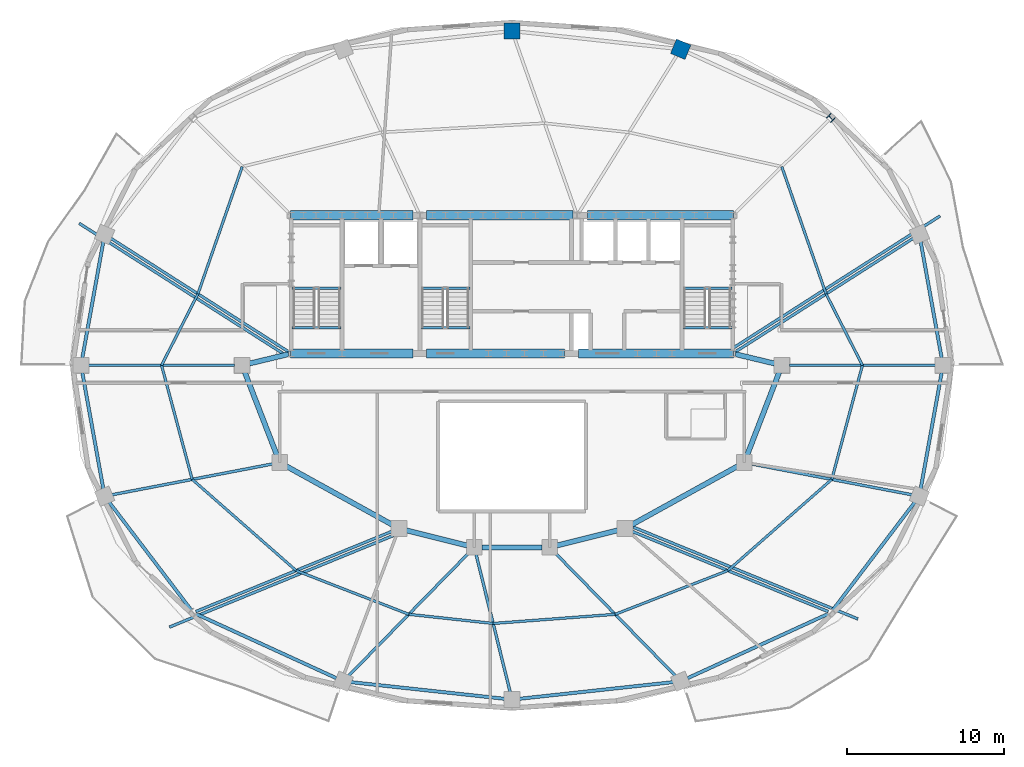
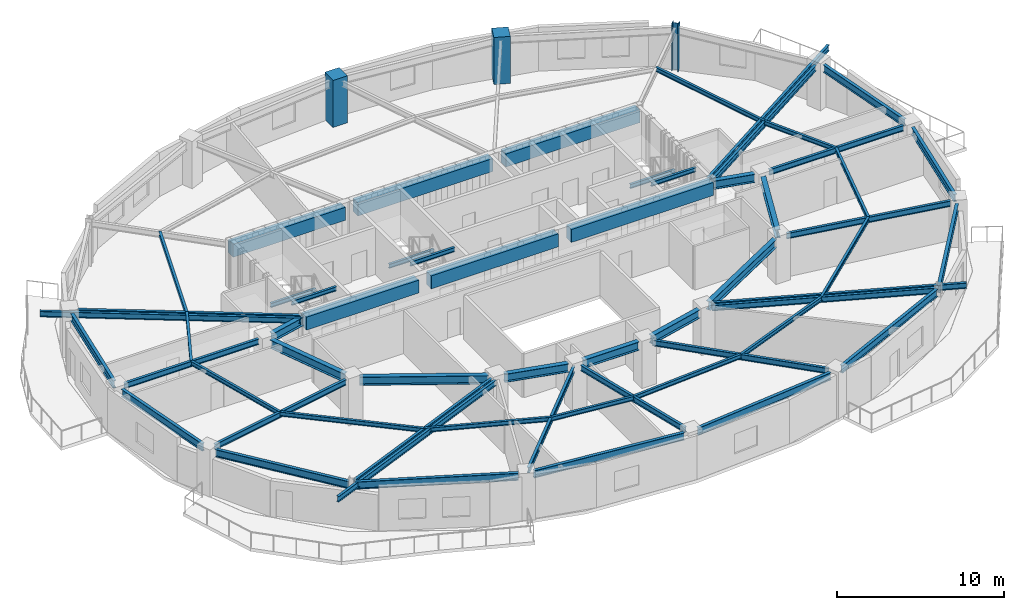
# One storey, part 2 of 11: 58 beams, 3 columns.
"""IFC4 building model written with IfcOpenShell, lengths in metres."""

from ifc_helpers import new_model, si_unit, direction, frame, origin, origin_2d, place, context, subcontext, project, spatial, rectangle, i_section, extrude, material, material_profile, profile_set, type_object, element, save


model = new_model("IFC4")

# Units and contexts
model_context = context("Model", 3, precision=1e-05, world=origin(), true_north=direction((0.0, 1.0)))
body_context = subcontext(model_context, "Body", "Model", "MODEL_VIEW")
ifc_project = project(units=[si_unit("LENGTHUNIT", "METRE"), si_unit("AREAUNIT", "SQUARE_METRE"), si_unit("VOLUMEUNIT", "CUBIC_METRE"), si_unit("PLANEANGLEUNIT", "RADIAN"), si_unit("MASSUNIT", "GRAM", prefix="KILO")], contexts=[model_context])

# Site, building, storey
site_placement = place(None, origin())
site = spatial("IfcSite", under=ifc_project, at=site_placement, CompositionType="ELEMENT")
building_placement = place(site_placement, origin())
building = spatial("IfcBuilding", under=site, at=building_placement, Name="Haldorwick Loom Tower", CompositionType="ELEMENT")
storey_placement = place(building_placement, frame((0.0, 0.0, 230.550048828125)))
storey = spatial("IfcBuildingStorey", under=building, at=storey_placement, Name="L62", CompositionType="ELEMENT", Elevation=230.550048828125)

# Columns
ifc_material_1 = material(Name="Concrete C60 (60 MPa)", Category="concrete")
ifc_material_profile_1 = material_profile(ifc_material_1, rectangle(XDim=1.0, YDim=1.0, at=origin_2d()), Name="RC1000X1000", Category="concrete")
ifc_profile_set_1 = profile_set([ifc_material_profile_1], Name="Concrete C60 (60 MPa)")
column_type_1 = type_object("IfcColumnType", Name="STR-COL-RC1000", PredefinedType="COLUMN", material=ifc_profile_set_1)
for number, where, z_axis, x_axis, name in (
    (1, (46.75341796875, 46.140625, 0.0), (0.0, 0.0, 1.0), (0.382683432365, 0.923879532511, 0.0), "L62 Perimeter Pier Column P04"),
    (2, (36.0, 47.304931640625, 0.0), (0.0, 0.0, 1.0), (0.0, 1.0, 0.0), "L62 Perimeter Pier Column P05"),
):
    element("IfcColumn", number, at=place(storey_placement, frame(where, z_axis=z_axis, x_axis=x_axis)), inside=storey, type_object=column_type_1, Name=name, PredefinedType="COLUMN", context=body_context, shape_type="SweptSolid", body=[
        extrude(rectangle(XDim=1.0, YDim=1.0, at=origin_2d()), origin(), (0.0, 0.0, 1.0), 3.449951171875),
    ])
ifc_material_2 = material(Name="Steel CSA G40.21 350W", Category="steel")
ifc_material_profile_2 = material_profile(ifc_material_2, i_section(OverallWidth=0.406005859375, OverallDepth=0.416015625, WebThickness=0.024169921875, FlangeThickness=0.03857421875, at=origin_2d()), Name="W360X382", Category="steel")
ifc_profile_set_2 = profile_set([ifc_material_profile_2], Name="Steel CSA G40.21 350W")
column_type_2 = type_object("IfcColumnType", Name="STR-COL-W360X382", PredefinedType="COLUMN", material=ifc_profile_set_2)
column_placement = place(storey_placement, frame((56.317626953125, 41.764892578125, 0.0), z_axis=(0.0, 0.0, 1.0), x_axis=(0.707106781187, 0.707106781187, 0.0)))
element("IfcColumn", 3, at=column_placement, inside=storey, type_object=column_type_2, Name="L62 Perimeter Pier Column P03", PredefinedType="COLUMN", context=body_context, shape_type="SweptSolid", body=[
    extrude(i_section(OverallWidth=0.406005859375, OverallDepth=0.416015625, WebThickness=0.024169921875, FlangeThickness=0.03857421875, at=origin_2d()), origin(), (0.0, 0.0, 1.0), 3.449951171875),
])

# Beams
ifc_material_profile_3 = material_profile(ifc_material_2, i_section(OverallWidth=0.179931640625, OverallDepth=0.4130859375, WebThickness=0.009765625, FlangeThickness=0.01611328125, at=origin_2d()), Name="W410X74", Category="steel")
ifc_profile_set_3 = profile_set([ifc_material_profile_3], Name="Steel CSA G40.21 350W")
beam_type_1 = type_object("IfcBeamType", Name="STR-BM-BAL410", PredefinedType="BEAM", material=ifc_profile_set_3)
beam_1_placement = place(storey_placement, frame((43.74560546875, 15.679443359375, 3.00341796875), z_axis=(0.925580184245, -0.378551611451, 0.0), x_axis=(0.378551611451, 0.925580184245, 0.0)))
element("IfcBeam", 4, at=beam_1_placement, inside=storey, type_object=beam_type_1, Name="L62 Continuous Back-Spanned Balcony Beam 1", PredefinedType="BEAM", context=body_context, shape_type="SweptSolid", body=[
    extrude(i_section(OverallWidth=0.179931640625, OverallDepth=0.4130859375, WebThickness=0.009765625, FlangeThickness=0.01611328125, at=origin_2d()), origin(), (0.0, 0.0, 1.0), 15.447509765625),
])
beam_2_placement = place(storey_placement, frame((28.46630859375, 15.160888671875, 3.00341796875), z_axis=(-0.925585721791, -0.378538071556, 0.0), x_axis=(0.378538071556, -0.925585721791, 0.0)))
element("IfcBeam", 5, at=beam_2_placement, inside=storey, type_object=beam_type_1, Name="L62 Continuous Back-Spanned Balcony Beam 2", PredefinedType="BEAM", context=body_context, shape_type="SweptSolid", body=[
    extrude(i_section(OverallWidth=0.179931640625, OverallDepth=0.4130859375, WebThickness=0.009765625, FlangeThickness=0.01611328125, at=origin_2d()), origin(), (0.0, 0.0, 1.0), 15.447265625),
])
for number, where, z_axis, x_axis, name in (
    (6, (21.62939453125, 26.60986328125, 3.00341796875), (-0.842844376394, 0.538157372133, 0.0), (-0.538157372133, -0.842844376394, 0.0), "L62 Continuous Back-Spanned Balcony Beam 3"),
    (7, (50.0693359375, 27.081787109375, 3.00341796875), (0.842844376394, 0.538157372133, 0.0), (-0.538157372133, 0.842844376394, 0.0), "L62 Continuous Back-Spanned Balcony Beam 4"),
):
    element("IfcBeam", number, at=place(storey_placement, frame(where, z_axis=z_axis, x_axis=x_axis)), inside=storey, type_object=beam_type_1, Name=name, PredefinedType="BEAM", context=body_context, shape_type="SweptSolid", body=[
        extrude(i_section(OverallWidth=0.179931640625, OverallDepth=0.4130859375, WebThickness=0.009765625, FlangeThickness=0.01611328125, at=origin_2d()), origin(), (0.0, 0.0, 1.0), 15.680419921875),
    ])
ifc_material_3 = material(Name="Concrete C50 (50 MPa)", Category="concrete")
ifc_material_profile_4 = material_profile(ifc_material_3, rectangle(XDim=0.60009765625, YDim=0.949951171875, at=origin_2d()), Name="RC600X950", Category="concrete")
ifc_profile_set_4 = profile_set([ifc_material_profile_4], Name="Concrete C50 (50 MPa)")
beam_type_2 = type_object("IfcBeamType", Name="STR-BM-CB950", PredefinedType="LINTEL", material=ifc_profile_set_4)
beam_3_placement = place(storey_placement, frame((21.89990234375, 35.550048828125, 2.73486328125), z_axis=(1.0, 0.0, 0.0), x_axis=(0.0, 1.0, 0.0)))
element("IfcBeam", 8, at=beam_3_placement, inside=storey, type_object=beam_type_2, Name="L62 Core Coupling Beam CB-N1", PredefinedType="LINTEL", context=body_context, shape_type="SweptSolid", body=[
    extrude(rectangle(XDim=0.60009765625, YDim=0.949951171875, at=origin_2d()), origin(), (0.0, 0.0, 1.0), 7.800048828125),
])
beam_4_placement = place(storey_placement, frame((30.550048828125, 35.550048828125, 2.73486328125), z_axis=(1.0, 0.0, 0.0), x_axis=(0.0, 1.0, 0.0)))
element("IfcBeam", 9, at=beam_4_placement, inside=storey, type_object=beam_type_2, Name="L62 Core Coupling Beam CB-N2", PredefinedType="LINTEL", context=body_context, shape_type="SweptSolid", body=[
    extrude(rectangle(XDim=0.60009765625, YDim=0.949951171875, at=origin_2d()), origin(), (0.0, 0.0, 1.0), 9.349853515625),
])
beam_5_placement = place(storey_placement, frame((40.800048828125, 35.550048828125, 2.73486328125), z_axis=(1.0, 0.0, 0.0), x_axis=(0.0, 1.0, 0.0)))
element("IfcBeam", 10, at=beam_5_placement, inside=storey, type_object=beam_type_2, Name="L62 Core Coupling Beam CB-N3", PredefinedType="LINTEL", context=body_context, shape_type="SweptSolid", body=[
    extrude(rectangle(XDim=0.60009765625, YDim=0.949951171875, at=origin_2d()), origin(), (0.0, 0.0, 1.0), 9.300048828125),
])
beam_6_placement = place(storey_placement, frame((21.89990234375, 26.75, 2.73486328125), z_axis=(1.0, 0.0, 0.0), x_axis=(0.0, 1.0, 0.0)))
element("IfcBeam", 11, at=beam_6_placement, inside=storey, type_object=beam_type_2, Name="L62 Core Coupling Beam CB-S1", PredefinedType="LINTEL", context=body_context, shape_type="SweptSolid", body=[
    extrude(rectangle(XDim=0.60009765625, YDim=0.949951171875, at=origin_2d()), origin(), (0.0, 0.0, 1.0), 7.800048828125),
])
beam_7_placement = place(storey_placement, frame((30.550048828125, 26.75, 2.73486328125), z_axis=(1.0, 0.0, 0.0), x_axis=(0.0, 1.0, 0.0)))
element("IfcBeam", 12, at=beam_7_placement, inside=storey, type_object=beam_type_2, Name="L62 Core Coupling Beam CB-S2", PredefinedType="LINTEL", context=body_context, shape_type="SweptSolid", body=[
    extrude(rectangle(XDim=0.60009765625, YDim=0.949951171875, at=origin_2d()), origin(), (0.0, 0.0, 1.0), 8.800048828125),
])
beam_8_placement = place(storey_placement, frame((40.25, 26.75, 2.73486328125), z_axis=(1.0, 0.0, 0.0), x_axis=(0.0, 1.0, 0.0)))
element("IfcBeam", 13, at=beam_8_placement, inside=storey, type_object=beam_type_2, Name="L62 Core Coupling Beam CB-S3", PredefinedType="LINTEL", context=body_context, shape_type="SweptSolid", body=[
    extrude(rectangle(XDim=0.60009765625, YDim=0.949951171875, at=origin_2d()), origin(), (0.0, 0.0, 1.0), 9.85009765625),
])
ifc_material_profile_5 = material_profile(ifc_material_2, i_section(OverallWidth=0.166015625, OverallDepth=0.31298828125, WebThickness=0.006591796875, FlangeThickness=0.01123046875, at=origin_2d()), Name="W310X45", Category="steel")
ifc_profile_set_5 = profile_set([ifc_material_profile_5], Name="Steel CSA G40.21 350W")
beam_type_3 = type_object("IfcBeamType", Name="STR-BM-J310", PredefinedType="JOIST", material=ifc_profile_set_5)
beam_9_placement = place(storey_placement, frame((58.333251953125, 26.0, 3.053466796875), z_axis=(-0.454203827517, 0.890897796085, 0.0), x_axis=(-0.890897796085, -0.454203827517, 0.0)))
element("IfcBeam", 14, at=beam_9_placement, inside=storey, type_object=beam_type_3, Name="L62 Mid-Bay Secondary Joist 1", PredefinedType="JOIST", context=body_context, shape_type="SweptSolid", body=[
    extrude(i_section(OverallWidth=0.166015625, OverallDepth=0.31298828125, WebThickness=0.006591796875, FlangeThickness=0.01123046875, at=origin_2d()), origin(), (0.0, 0.0, 1.0), 5.103271484375),
])
for number, where, z_axis, x_axis, name in (
    (15, (56.015380859375, 30.54638671875, 3.053466796875), (-0.328550395803, 0.944486441098, 0.0), (-0.944486441098, -0.328550395803, 0.0), "L62 Mid-Bay Secondary Joist 2"),
    (16, (18.80615234375, 38.657470703125, 3.053466796875), (-0.328550395803, -0.944486441098, 0.0), (0.944486441098, -0.328550395803, 0.0), "L62 Mid-Bay Secondary Joist 7"),
):
    element("IfcBeam", number, at=place(storey_placement, frame(where, z_axis=z_axis, x_axis=x_axis)), inside=storey, type_object=beam_type_3, Name=name, PredefinedType="JOIST", context=body_context, shape_type="SweptSolid", body=[
        extrude(i_section(OverallWidth=0.166015625, OverallDepth=0.31298828125, WebThickness=0.006591796875, FlangeThickness=0.01123046875, at=origin_2d()), origin(), (0.0, 0.0, 1.0), 8.587890625),
    ])
beam_10_placement = place(storey_placement, frame((15.984619140625, 30.54638671875, 3.053466796875), z_axis=(-0.454203827517, -0.890897796085, 0.0), x_axis=(0.890897796085, -0.454203827517, 0.0)))
element("IfcBeam", 17, at=beam_10_placement, inside=storey, type_object=beam_type_3, Name="L62 Mid-Bay Secondary Joist 8", PredefinedType="JOIST", context=body_context, shape_type="SweptSolid", body=[
    extrude(i_section(OverallWidth=0.166015625, OverallDepth=0.31298828125, WebThickness=0.006591796875, FlangeThickness=0.01123046875, at=origin_2d()), origin(), (0.0, 0.0, 1.0), 5.103271484375),
])
beam_11_placement = place(storey_placement, frame((13.666748046875, 26.0, 3.053466796875), z_axis=(0.259353588718, -0.965782437208, 0.0), x_axis=(0.965782437208, 0.259353588718, 0.0)))
element("IfcBeam", 18, at=beam_11_placement, inside=storey, type_object=beam_type_3, Name="L62 Mid-Bay Secondary Joist 9", PredefinedType="JOIST", context=body_context, shape_type="SweptSolid", body=[
    extrude(i_section(OverallWidth=0.166015625, OverallDepth=0.31298828125, WebThickness=0.006591796875, FlangeThickness=0.01123046875, at=origin_2d()), origin(), (0.0, 0.0, 1.0), 7.52880859375),
])
beam_12_placement = place(storey_placement, frame((15.619384765625, 18.728759765625, 3.053466796875), z_axis=(0.751609427289, -0.659608420815, 0.0), x_axis=(0.659608420815, 0.751609427289, 0.0)))
element("IfcBeam", 19, at=beam_12_placement, inside=storey, type_object=beam_type_3, Name="L62 Mid-Bay Secondary Joist 10", PredefinedType="JOIST", context=body_context, shape_type="SweptSolid", body=[
    extrude(i_section(OverallWidth=0.166015625, OverallDepth=0.31298828125, WebThickness=0.006591796875, FlangeThickness=0.01123046875, at=origin_2d()), origin(), (0.0, 0.0, 1.0), 8.810302734375),
])
beam_13_placement = place(storey_placement, frame((22.2412109375, 12.91748046875, 3.053466796875), z_axis=(0.932232852675, -0.36185896202, 0.0), x_axis=(0.36185896202, 0.932232852675, 0.0)))
element("IfcBeam", 20, at=beam_13_placement, inside=storey, type_object=beam_type_3, Name="L62 Mid-Bay Secondary Joist 11", PredefinedType="JOIST", context=body_context, shape_type="SweptSolid", body=[
    extrude(i_section(OverallWidth=0.166015625, OverallDepth=0.31298828125, WebThickness=0.006591796875, FlangeThickness=0.01123046875, at=origin_2d()), origin(), (0.0, 0.0, 1.0), 7.7041015625),
])
beam_14_placement = place(storey_placement, frame((29.42333984375, 10.129638671875, 3.053466796875), z_axis=(0.994191913888, -0.107621737398, 0.0), x_axis=(0.107621737398, 0.994191913888, 0.0)))
element("IfcBeam", 21, at=beam_14_placement, inside=storey, type_object=beam_type_3, Name="L62 Mid-Bay Secondary Joist 12", PredefinedType="JOIST", context=body_context, shape_type="SweptSolid", body=[
    extrude(i_section(OverallWidth=0.166015625, OverallDepth=0.31298828125, WebThickness=0.006591796875, FlangeThickness=0.01123046875, at=origin_2d()), origin(), (0.0, 0.0, 1.0), 5.408203125),
])
beam_15_placement = place(storey_placement, frame((34.800048828125, 9.547607421875, 3.053466796875), z_axis=(0.997210913817, 0.074635067923, 0.0), x_axis=(-0.074635067923, 0.997210913817, 0.0)))
element("IfcBeam", 22, at=beam_15_placement, inside=storey, type_object=beam_type_3, Name="L62 Mid-Bay Secondary Joist 13", PredefinedType="JOIST", context=body_context, shape_type="SweptSolid", body=[
    extrude(i_section(OverallWidth=0.166015625, OverallDepth=0.31298828125, WebThickness=0.006591796875, FlangeThickness=0.01123046875, at=origin_2d()), origin(), (0.0, 0.0, 1.0), 7.79833984375),
])
beam_16_placement = place(storey_placement, frame((42.57666015625, 10.129638671875, 3.053466796875), z_axis=(0.932232852675, 0.36185896202, 0.0), x_axis=(-0.36185896202, 0.932232852675, 0.0)))
element("IfcBeam", 23, at=beam_16_placement, inside=storey, type_object=beam_type_3, Name="L62 Mid-Bay Secondary Joist 14", PredefinedType="JOIST", context=body_context, shape_type="SweptSolid", body=[
    extrude(i_section(OverallWidth=0.166015625, OverallDepth=0.31298828125, WebThickness=0.006591796875, FlangeThickness=0.01123046875, at=origin_2d()), origin(), (0.0, 0.0, 1.0), 7.7041015625),
])
beam_17_placement = place(storey_placement, frame((49.7587890625, 12.91748046875, 3.053466796875), z_axis=(0.751609427289, 0.659608420815, 0.0), x_axis=(-0.659608420815, 0.751609427289, 0.0)))
element("IfcBeam", 24, at=beam_17_placement, inside=storey, type_object=beam_type_3, Name="L62 Mid-Bay Secondary Joist 15", PredefinedType="JOIST", context=body_context, shape_type="SweptSolid", body=[
    extrude(i_section(OverallWidth=0.166015625, OverallDepth=0.31298828125, WebThickness=0.006591796875, FlangeThickness=0.01123046875, at=origin_2d()), origin(), (0.0, 0.0, 1.0), 8.810302734375),
])
beam_18_placement = place(storey_placement, frame((56.380615234375, 18.728759765625, 3.053466796875), z_axis=(0.259353588718, 0.965782437208, 0.0), x_axis=(-0.965782437208, 0.259353588718, 0.0)))
element("IfcBeam", 25, at=beam_18_placement, inside=storey, type_object=beam_type_3, Name="L62 Mid-Bay Secondary Joist 16", PredefinedType="JOIST", context=body_context, shape_type="SweptSolid", body=[
    extrude(i_section(OverallWidth=0.166015625, OverallDepth=0.31298828125, WebThickness=0.006591796875, FlangeThickness=0.01123046875, at=origin_2d()), origin(), (0.0, 0.0, 1.0), 7.52880859375),
])
ifc_material_profile_6 = material_profile(ifc_material_2, i_section(OverallWidth=0.179931640625, OverallDepth=0.4130859375, WebThickness=0.009765625, FlangeThickness=0.01611328125, at=origin_2d()), Name="W410X74", Category="steel")
ifc_profile_set_6 = profile_set([ifc_material_profile_6], Name="Steel CSA G40.21 350W")
beam_type_4 = type_object("IfcBeamType", Name="STR-BM-J410", PredefinedType="JOIST", material=ifc_profile_set_6)
beam_19_placement = place(storey_placement, frame((53.675048828125, 26.0, 3.00341796875), z_axis=(1.0, 0.0, 0.0), x_axis=(0.0, 1.0, 0.0)))
element("IfcBeam", 26, at=beam_19_placement, inside=storey, type_object=beam_type_4, Name="L62 Radial Floor Girder 1", PredefinedType="JOIST", context=body_context, shape_type="SweptSolid", body=[
    extrude(i_section(OverallWidth=0.179931640625, OverallDepth=0.4130859375, WebThickness=0.009765625, FlangeThickness=0.01611328125, at=origin_2d()), origin(), (0.0, 0.0, 1.0), 9.31640625),
])
for number, where, z_axis, x_axis, name in (
    (27, (50.219970703125, 26.845703125, 3.00341796875), (0.842841662301, 0.538161622833, 0.0), (-0.538161622833, 0.842841662301, 0.0), "L62 Radial Floor Girder 2"),
    (28, (21.780029296875, 26.845703125, 3.00341796875), (-0.842841662301, 0.538161622833, 0.0), (-0.538161622833, -0.842841662301, 0.0), "L62 Radial Floor Girder 8"),
):
    element("IfcBeam", number, at=place(storey_placement, frame(where, z_axis=z_axis, x_axis=x_axis)), inside=storey, type_object=beam_type_4, Name=name, PredefinedType="JOIST", context=body_context, shape_type="SweptSolid", body=[
        extrude(i_section(OverallWidth=0.179931640625, OverallDepth=0.4130859375, WebThickness=0.009765625, FlangeThickness=0.01611328125, at=origin_2d()), origin(), (0.0, 0.0, 1.0), 13.45556640625),
    ])
beam_20_placement = place(storey_placement, frame((18.324951171875, 26.0, 3.00341796875), z_axis=(-1.0, 0.0, 0.0), x_axis=(0.0, -1.0, 0.0)))
element("IfcBeam", 29, at=beam_20_placement, inside=storey, type_object=beam_type_4, Name="L62 Radial Floor Girder 9", PredefinedType="JOIST", context=body_context, shape_type="SweptSolid", body=[
    extrude(i_section(OverallWidth=0.179931640625, OverallDepth=0.4130859375, WebThickness=0.009765625, FlangeThickness=0.01611328125, at=origin_2d()), origin(), (0.0, 0.0, 1.0), 9.31640625),
])
beam_21_placement = place(storey_placement, frame((20.7333984375, 19.71044921875, 3.00341796875), z_axis=(-0.982068761346, -0.188523070173, 0.0), x_axis=(0.188523070173, -0.982068761346, 0.0)))
element("IfcBeam", 30, at=beam_21_placement, inside=storey, type_object=beam_type_4, Name="L62 Radial Floor Girder 10", PredefinedType="JOIST", context=body_context, shape_type="SweptSolid", body=[
    extrude(i_section(OverallWidth=0.179931640625, OverallDepth=0.4130859375, WebThickness=0.009765625, FlangeThickness=0.01611328125, at=origin_2d()), origin(), (0.0, 0.0, 1.0), 10.41455078125),
])
beam_22_placement = place(storey_placement, frame((28.3603515625, 15.420166015625, 3.00341796875), z_axis=(-0.925582046891, -0.378547057145, 0.0), x_axis=(0.378547057145, -0.925582046891, 0.0)))
element("IfcBeam", 31, at=beam_22_placement, inside=storey, type_object=beam_type_4, Name="L62 Radial Floor Girder 11", PredefinedType="JOIST", context=body_context, shape_type="SweptSolid", body=[
    extrude(i_section(OverallWidth=0.179931640625, OverallDepth=0.4130859375, WebThickness=0.009765625, FlangeThickness=0.01611328125, at=origin_2d()), origin(), (0.0, 0.0, 1.0), 13.519287109375),
])
beam_23_placement = place(storey_placement, frame((33.267822265625, 14.060302734375, 3.00341796875), z_axis=(-0.6992374297, -0.714889513775, 0.0), x_axis=(0.714889513775, -0.6992374297, 0.0)))
element("IfcBeam", 32, at=beam_23_placement, inside=storey, type_object=beam_type_4, Name="L62 Radial Floor Girder 12", PredefinedType="JOIST", context=body_context, shape_type="SweptSolid", body=[
    extrude(i_section(OverallWidth=0.179931640625, OverallDepth=0.4130859375, WebThickness=0.009765625, FlangeThickness=0.01611328125, at=origin_2d()), origin(), (0.0, 0.0, 1.0), 10.99658203125),
])
beam_24_placement = place(storey_placement, frame((33.714111328125, 13.93896484375, 3.00341796875), z_axis=(0.240052275929, -0.970759962515, 0.0), x_axis=(0.970759962515, 0.240052275929, 0.0)))
element("IfcBeam", 33, at=beam_24_placement, inside=storey, type_object=beam_type_4, Name="L62 Radial Floor Girder 13", PredefinedType="JOIST", context=body_context, shape_type="SweptSolid", body=[
    extrude(i_section(OverallWidth=0.179931640625, OverallDepth=0.4130859375, WebThickness=0.009765625, FlangeThickness=0.01611328125, at=origin_2d()), origin(), (0.0, 0.0, 1.0), 9.047607421875),
])
beam_25_placement = place(storey_placement, frame((38.732177734375, 14.060302734375, 3.00341796875), z_axis=(0.6992374297, -0.714889513775, 0.0), x_axis=(0.714889513775, 0.6992374297, 0.0)))
element("IfcBeam", 34, at=beam_25_placement, inside=storey, type_object=beam_type_4, Name="L62 Radial Floor Girder 14", PredefinedType="JOIST", context=body_context, shape_type="SweptSolid", body=[
    extrude(i_section(OverallWidth=0.179931640625, OverallDepth=0.4130859375, WebThickness=0.009765625, FlangeThickness=0.01611328125, at=origin_2d()), origin(), (0.0, 0.0, 1.0), 10.99658203125),
])
beam_26_placement = place(storey_placement, frame((43.6396484375, 15.420166015625, 3.00341796875), z_axis=(0.925582046891, -0.378547057145, 0.0), x_axis=(0.378547057145, 0.925582046891, 0.0)))
element("IfcBeam", 35, at=beam_26_placement, inside=storey, type_object=beam_type_4, Name="L62 Radial Floor Girder 15", PredefinedType="JOIST", context=body_context, shape_type="SweptSolid", body=[
    extrude(i_section(OverallWidth=0.179931640625, OverallDepth=0.4130859375, WebThickness=0.009765625, FlangeThickness=0.01611328125, at=origin_2d()), origin(), (0.0, 0.0, 1.0), 13.519287109375),
])
beam_27_placement = place(storey_placement, frame((51.2666015625, 19.71044921875, 3.00341796875), z_axis=(0.982068761346, -0.188523070173, 0.0), x_axis=(0.188523070173, 0.982068761346, 0.0)))
element("IfcBeam", 36, at=beam_27_placement, inside=storey, type_object=beam_type_4, Name="L62 Radial Floor Girder 16", PredefinedType="JOIST", context=body_context, shape_type="SweptSolid", body=[
    extrude(i_section(OverallWidth=0.179931640625, OverallDepth=0.4130859375, WebThickness=0.009765625, FlangeThickness=0.01611328125, at=origin_2d()), origin(), (0.0, 0.0, 1.0), 10.41455078125),
])
ifc_material_profile_7 = material_profile(ifc_material_2, i_section(OverallWidth=0.2119140625, OverallDepth=0.5439453125, WebThickness=0.01318359375, FlangeThickness=0.021240234375, at=origin_2d()), Name="W530X123", Category="steel")
ifc_profile_set_7 = profile_set([ifc_material_profile_7], Name="Steel CSA G40.21 350W")
beam_type_5 = type_object("IfcBeamType", Name="STR-BM-SP530", PredefinedType="SPANDREL", material=ifc_profile_set_7)
for number, where, z_axis, x_axis, name in (
    (37, (63.382080078125, 26.467529296875, 2.93798828125), (-0.177580880494, 0.984106209148, 0.0), (-0.984106209148, -0.177580880494, 0.0), "L62 Perimeter Spandrel 1"),
    (38, (9.95458984375, 33.875, 2.93798828125), (-0.177580880494, -0.984106209148, 0.0), (0.984106209148, -0.177580880494, 0.0), "L62 Perimeter Spandrel 8"),
    (39, (8.617919921875, 25.532470703125, 2.93798828125), (0.177580880494, -0.984106209148, 0.0), (0.984106209148, 0.177580880494, 0.0), "L62 Perimeter Spandrel 9"),
):
    element("IfcBeam", number, at=place(storey_placement, frame(where, z_axis=z_axis, x_axis=x_axis)), inside=storey, type_object=beam_type_5, Name=name, PredefinedType="SPANDREL", context=body_context, shape_type="SweptSolid", body=[
        extrude(i_section(OverallWidth=0.2119140625, OverallDepth=0.5439453125, WebThickness=0.01318359375, FlangeThickness=0.021240234375, at=origin_2d()), origin(), (0.0, 0.0, 1.0), 7.527099609375),
    ])
beam_28_placement = place(storey_placement, frame((10.326416015625, 17.279296875, 2.93798828125), z_axis=(0.605253156055, -0.796033050247, 0.0), x_axis=(0.796033050247, 0.605253156055, 0.0)))
element("IfcBeam", 40, at=beam_28_placement, inside=storey, type_object=beam_type_5, Name="L62 Perimeter Spandrel 10", PredefinedType="SPANDREL", context=body_context, shape_type="SweptSolid", body=[
    extrude(i_section(OverallWidth=0.2119140625, OverallDepth=0.5439453125, WebThickness=0.01318359375, FlangeThickness=0.021240234375, at=origin_2d()), origin(), (0.0, 0.0, 1.0), 8.671142578125),
])
beam_29_placement = place(storey_placement, frame((15.84423828125, 10.160888671875, 2.93798828125), z_axis=(0.909350907904, -0.41602995841, 0.0), x_axis=(0.41602995841, 0.909350907904, 0.0)))
element("IfcBeam", 41, at=beam_29_placement, inside=storey, type_object=beam_type_5, Name="L62 Perimeter Spandrel 11", PredefinedType="SPANDREL", context=body_context, shape_type="SweptSolid", body=[
    extrude(i_section(OverallWidth=0.2119140625, OverallDepth=0.5439453125, WebThickness=0.01318359375, FlangeThickness=0.021240234375, at=origin_2d()), origin(), (0.0, 0.0, 1.0), 9.86474609375),
])
for number, where, z_axis, x_axis, name in (
    (42, (25.71875, 5.808349609375, 2.93798828125), (0.994187378218, -0.107663628917, 0.0), (0.107663628917, 0.994187378218, 0.0), "L62 Perimeter Spandrel 12"),
    (43, (36.47216796875, 4.74609375, 2.93798828125), (0.994187378218, 0.107663628917, 0.0), (-0.107663628917, 0.994187378218, 0.0), "L62 Perimeter Spandrel 13"),
):
    element("IfcBeam", number, at=place(storey_placement, frame(where, z_axis=z_axis, x_axis=x_axis)), inside=storey, type_object=beam_type_5, Name=name, PredefinedType="SPANDREL", context=body_context, shape_type="SweptSolid", body=[
        extrude(i_section(OverallWidth=0.2119140625, OverallDepth=0.5439453125, WebThickness=0.01318359375, FlangeThickness=0.021240234375, at=origin_2d()), origin(), (0.0, 0.0, 1.0), 9.866455078125),
    ])
beam_30_placement = place(storey_placement, frame((47.185302734375, 6.056884765625, 2.93798828125), z_axis=(0.909350907904, 0.41602995841, 0.0), x_axis=(-0.41602995841, 0.909350907904, 0.0)))
element("IfcBeam", 44, at=beam_30_placement, inside=storey, type_object=beam_type_5, Name="L62 Perimeter Spandrel 14", PredefinedType="SPANDREL", context=body_context, shape_type="SweptSolid", body=[
    extrude(i_section(OverallWidth=0.2119140625, OverallDepth=0.5439453125, WebThickness=0.01318359375, FlangeThickness=0.021240234375, at=origin_2d()), origin(), (0.0, 0.0, 1.0), 9.86474609375),
])
beam_31_placement = place(storey_placement, frame((56.42529296875, 10.376708984375, 2.93798828125), z_axis=(0.605253156055, 0.796033050247, 0.0), x_axis=(-0.796033050247, 0.605253156055, 0.0)))
element("IfcBeam", 45, at=beam_31_placement, inside=storey, type_object=beam_type_5, Name="L62 Perimeter Spandrel 15", PredefinedType="SPANDREL", context=body_context, shape_type="SweptSolid", body=[
    extrude(i_section(OverallWidth=0.2119140625, OverallDepth=0.5439453125, WebThickness=0.01318359375, FlangeThickness=0.021240234375, at=origin_2d()), origin(), (0.0, 0.0, 1.0), 8.671142578125),
])
beam_32_placement = place(storey_placement, frame((62.04541015625, 18.125, 2.93798828125), z_axis=(0.177580880494, 0.984106209148, 0.0), x_axis=(-0.984106209148, 0.177580880494, 0.0)))
element("IfcBeam", 46, at=beam_32_placement, inside=storey, type_object=beam_type_5, Name="L62 Perimeter Spandrel 16", PredefinedType="SPANDREL", context=body_context, shape_type="SweptSolid", body=[
    extrude(i_section(OverallWidth=0.2119140625, OverallDepth=0.5439453125, WebThickness=0.01318359375, FlangeThickness=0.021240234375, at=origin_2d()), origin(), (0.0, 0.0, 1.0), 7.527099609375),
])
ifc_material_profile_8 = material_profile(ifc_material_2, i_section(OverallWidth=0.166015625, OverallDepth=0.31298828125, WebThickness=0.006591796875, FlangeThickness=0.01123046875, at=origin_2d()), Name="W310X45", Category="steel")
ifc_profile_set_8 = profile_set([ifc_material_profile_8], Name="Steel CSA G40.21 350W")
beam_type_6 = type_object("IfcBeamType", Name="STR-BM-STRM", PredefinedType="BEAM", material=ifc_profile_set_8)
for number, where, z_axis, x_axis, name in (
    (47, (21.989990234375, 28.39990234375, 3.053466796875), (1.0, 0.0, 0.0), (0.0, 1.0, 0.0), "L62 Stair ST-01 Landing Edge Trimmer"),
    (48, (21.989990234375, 30.919921875, 1.368408203125), (1.0, 0.0, 0.0), (0.0, 1.0, 0.0), "L62 Stair ST-01 Half-Landing Trimmer 1"),
    (49, (46.889892578125, 28.39990234375, 3.053466796875), (1.0, 0.0, 0.0), (0.0, 1.0, 0.0), "L62 Stair ST-02 Landing Edge Trimmer"),
    (50, (46.889892578125, 30.919921875, 1.368408203125), (1.0, 0.0, 0.0), (0.0, 1.0, 0.0), "L62 Stair ST-02 Half-Landing Trimmer 1"),
    (51, (30.18994140625, 28.39990234375, 3.053466796875), (1.0, 0.0, 0.0), (0.0, 1.0, 0.0), "L62 Stair ST-03 Landing Edge Trimmer"),
    (52, (30.18994140625, 30.919921875, 1.368408203125), (1.0, 0.0, 0.0), (0.0, 1.0, 0.0), "L62 Stair ST-03 Half-Landing Trimmer 1"),
):
    element("IfcBeam", number, at=place(storey_placement, frame(where, z_axis=z_axis, x_axis=x_axis)), inside=storey, type_object=beam_type_6, Name=name, PredefinedType="BEAM", context=body_context, shape_type="SweptSolid", body=[
        extrude(i_section(OverallWidth=0.166015625, OverallDepth=0.31298828125, WebThickness=0.006591796875, FlangeThickness=0.01123046875, at=origin_2d()), origin(), (0.0, 0.0, 1.0), 3.1201171875),
    ])
ifc_material_profile_9 = material_profile(ifc_material_2, i_section(OverallWidth=0.324951171875, OverallDepth=0.615966796875, WebThickness=0.013916015625, FlangeThickness=0.021484375, at=origin_2d()), Name="W610X174", Category="steel")
ifc_profile_set_9 = profile_set([ifc_material_profile_9], Name="Steel CSA G40.21 350W")
beam_type_7 = type_object("IfcBeamType", Name="STR-BM-W610A", PredefinedType="BEAM", material=ifc_profile_set_9)
beam_33_placement = place(storey_placement, frame((50.2431640625, 26.70849609375, 2.90185546875), z_axis=(0.972464127734, -0.233052612665, 0.0), x_axis=(0.233052612665, 0.972464127734, 0.0)))
element("IfcBeam", 53, at=beam_33_placement, inside=storey, type_object=beam_type_7, Name="L62 Inner Ring Girder 1", PredefinedType="BEAM", context=body_context, shape_type="SweptSolid", body=[
    extrude(i_section(OverallWidth=0.324951171875, OverallDepth=0.615966796875, WebThickness=0.013916015625, FlangeThickness=0.021484375, at=origin_2d()), origin(), (0.0, 0.0, 1.0), 2.5654296875),
])
beam_34_placement = place(storey_placement, frame((53.028564453125, 25.556884765625, 2.90185546875), z_axis=(-0.36101093026, -0.93256158415, 0.0), x_axis=(0.93256158415, -0.36101093026, 0.0)))
element("IfcBeam", 54, at=beam_34_placement, inside=storey, type_object=beam_type_7, Name="L62 Inner Ring Girder 2", PredefinedType="BEAM", context=body_context, shape_type="SweptSolid", body=[
    extrude(i_section(OverallWidth=0.324951171875, OverallDepth=0.615966796875, WebThickness=0.013916015625, FlangeThickness=0.021484375, at=origin_2d()), origin(), (0.0, 0.0, 1.0), 5.6982421875),
])
beam_35_placement = place(storey_placement, frame((50.38427734375, 19.5703125, 2.90185546875), z_axis=(-0.875243645673, -0.483682293152, 0.0), x_axis=(0.483682293152, -0.875243645673, 0.0)))
element("IfcBeam", 55, at=beam_35_placement, inside=storey, type_object=beam_type_7, Name="L62 Inner Ring Girder 3", PredefinedType="BEAM", context=body_context, shape_type="SweptSolid", body=[
    extrude(i_section(OverallWidth=0.324951171875, OverallDepth=0.615966796875, WebThickness=0.013916015625, FlangeThickness=0.021484375, at=origin_2d()), origin(), (0.0, 0.0, 1.0), 7.7333984375),
])
beam_36_placement = place(storey_placement, frame((42.7392578125, 15.48486328125, 2.90185546875), z_axis=(-0.970135315182, -0.242564363081, 0.0), x_axis=(0.242564363081, -0.970135315182, 0.0)))
element("IfcBeam", 56, at=beam_36_placement, inside=storey, type_object=beam_type_7, Name="L62 Inner Ring Girder 4", PredefinedType="BEAM", context=body_context, shape_type="SweptSolid", body=[
    extrude(i_section(OverallWidth=0.324951171875, OverallDepth=0.615966796875, WebThickness=0.013916015625, FlangeThickness=0.021484375, at=origin_2d()), origin(), (0.0, 0.0, 1.0), 3.997802734375),
])
beam_37_placement = place(storey_placement, frame((37.925048828125, 14.39990234375, 2.90185546875), z_axis=(-1.0, 0.0, 0.0), x_axis=(0.0, -1.0, 0.0)))
element("IfcBeam", 57, at=beam_37_placement, inside=storey, type_object=beam_type_7, Name="L62 Inner Ring Girder 5", PredefinedType="BEAM", context=body_context, shape_type="SweptSolid", body=[
    extrude(i_section(OverallWidth=0.324951171875, OverallDepth=0.615966796875, WebThickness=0.013916015625, FlangeThickness=0.021484375, at=origin_2d()), origin(), (0.0, 0.0, 1.0), 3.85009765625),
])
beam_38_placement = place(storey_placement, frame((33.13916015625, 14.51513671875, 2.90185546875), z_axis=(-0.970135315182, 0.242564363081, 0.0), x_axis=(-0.242564363081, -0.970135315182, 0.0)))
element("IfcBeam", 58, at=beam_38_placement, inside=storey, type_object=beam_type_7, Name="L62 Inner Ring Girder 6", PredefinedType="BEAM", context=body_context, shape_type="SweptSolid", body=[
    extrude(i_section(OverallWidth=0.324951171875, OverallDepth=0.615966796875, WebThickness=0.013916015625, FlangeThickness=0.021484375, at=origin_2d()), origin(), (0.0, 0.0, 1.0), 3.997802734375),
])
beam_39_placement = place(storey_placement, frame((28.38427734375, 15.829833984375, 2.90185546875), z_axis=(-0.875243645673, 0.483682293152, 0.0), x_axis=(-0.483682293152, -0.875243645673, 0.0)))
element("IfcBeam", 59, at=beam_39_placement, inside=storey, type_object=beam_type_7, Name="L62 Inner Ring Girder 7", PredefinedType="BEAM", context=body_context, shape_type="SweptSolid", body=[
    extrude(i_section(OverallWidth=0.324951171875, OverallDepth=0.615966796875, WebThickness=0.013916015625, FlangeThickness=0.021484375, at=origin_2d()), origin(), (0.0, 0.0, 1.0), 7.7333984375),
])
beam_40_placement = place(storey_placement, frame((21.028564453125, 20.242919921875, 2.90185546875), z_axis=(-0.36101093026, 0.93256158415, 0.0), x_axis=(-0.93256158415, -0.36101093026, 0.0)))
element("IfcBeam", 60, at=beam_40_placement, inside=storey, type_object=beam_type_7, Name="L62 Inner Ring Girder 8", PredefinedType="BEAM", context=body_context, shape_type="SweptSolid", body=[
    extrude(i_section(OverallWidth=0.324951171875, OverallDepth=0.615966796875, WebThickness=0.013916015625, FlangeThickness=0.021484375, at=origin_2d()), origin(), (0.0, 0.0, 1.0), 5.6982421875),
])
beam_41_placement = place(storey_placement, frame((19.261962890625, 26.110595703125, 2.90185546875), z_axis=(0.972464127734, 0.233052612665, 0.0), x_axis=(-0.233052612665, 0.972464127734, 0.0)))
element("IfcBeam", 61, at=beam_41_placement, inside=storey, type_object=beam_type_7, Name="L62 Inner Ring Girder 9", PredefinedType="BEAM", context=body_context, shape_type="SweptSolid", body=[
    extrude(i_section(OverallWidth=0.324951171875, OverallDepth=0.615966796875, WebThickness=0.013916015625, FlangeThickness=0.021484375, at=origin_2d()), origin(), (0.0, 0.0, 1.0), 2.5654296875),
])

save(model, "model.ifc")
